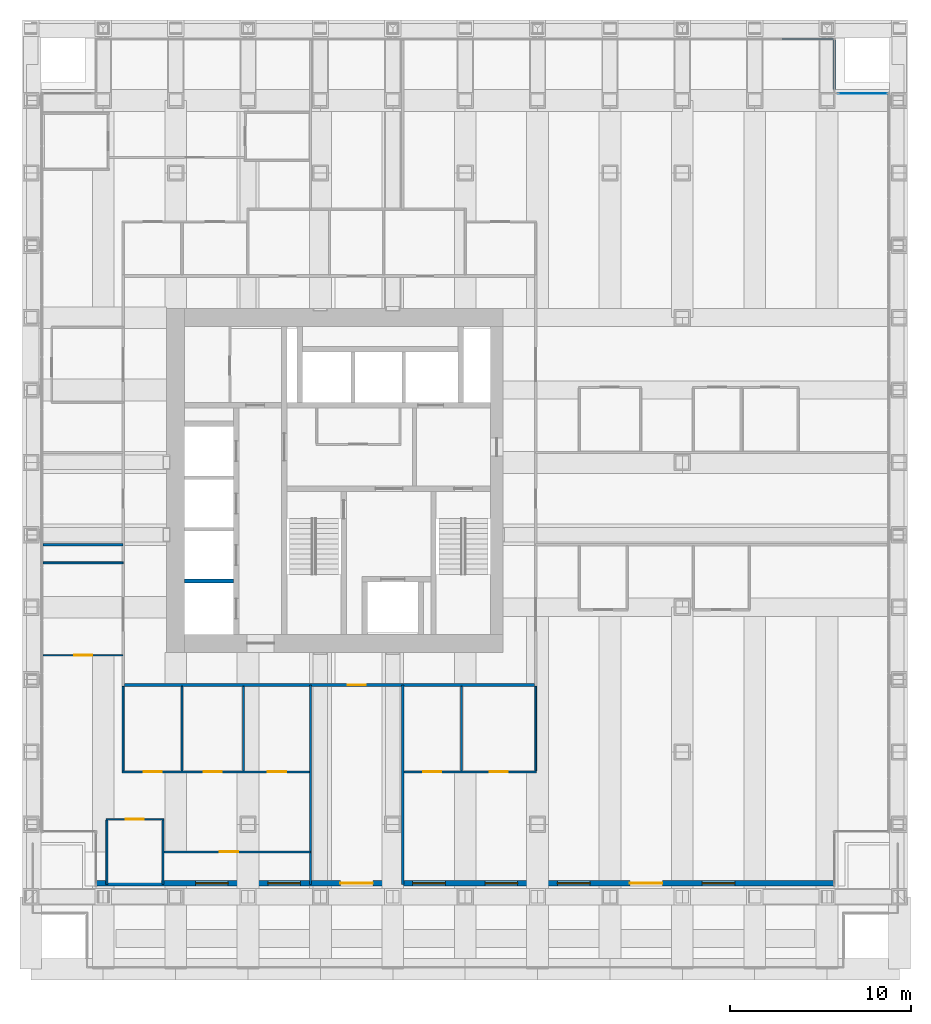
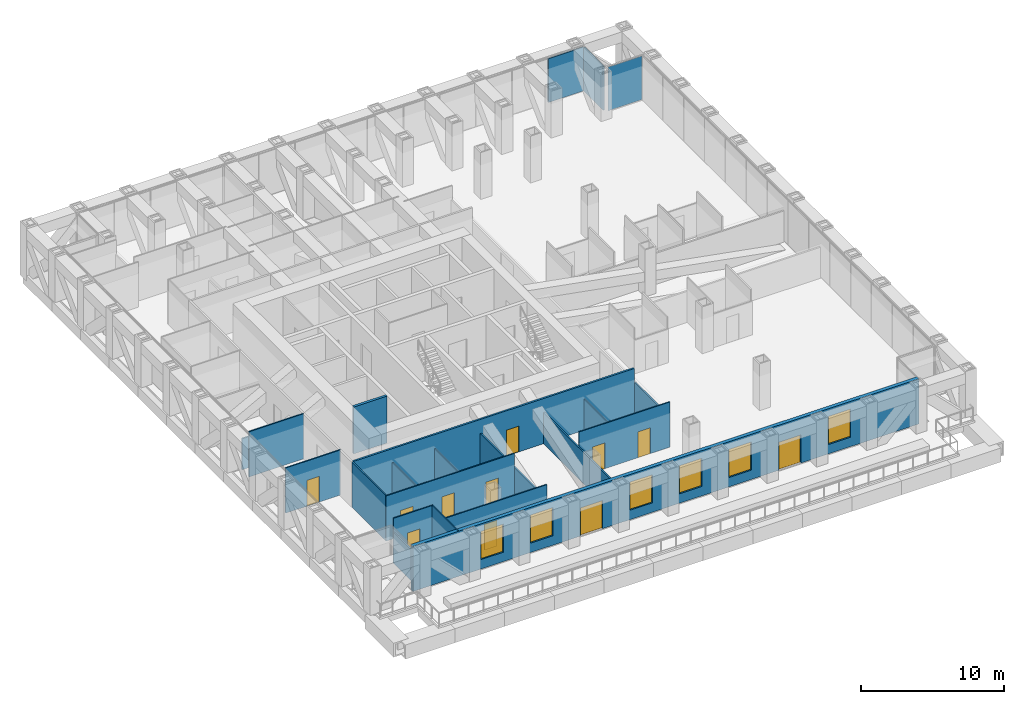
# One storey, part 12 of 18: 19 walls, 11 doors, 6 windows, 3 plates, 17 openings, 3 elements without a shape of their own.
"""IFC4 building model written with IfcOpenShell, lengths in metres."""

from ifc_helpers import new_model, si_unit, direction, frame, frame_2d, origin, origin_2d, place, context, subcontext, project, spatial, rectangle, extrude, material, layer, layer_set, type_object, element, fill, aggregate, save


model = new_model("IFC4")

# Units and contexts
model_context = context("Model", 3, precision=1e-05, world=origin(), true_north=direction((0.0, 1.0)))
body_context = subcontext(model_context, "Body", "Model", "MODEL_VIEW")
ifc_project = project(units=[si_unit("LENGTHUNIT", "METRE"), si_unit("AREAUNIT", "SQUARE_METRE"), si_unit("VOLUMEUNIT", "CUBIC_METRE"), si_unit("PLANEANGLEUNIT", "RADIAN"), si_unit("MASSUNIT", "GRAM", prefix="KILO")], contexts=[model_context])

# Site, building, storey
site_placement = place(None, origin())
site = spatial("IfcSite", under=ifc_project, at=site_placement, CompositionType="ELEMENT")
building_placement = place(site_placement, origin())
building = spatial("IfcBuilding", under=site, at=building_placement, Name="Rimbunsela Tower", CompositionType="ELEMENT")
storey_placement = place(building_placement, frame((0.0, 0.0, 105.39990234375)))
storey = spatial("IfcBuildingStorey", under=building, at=storey_placement, Name="L25", CompositionType="ELEMENT", Elevation=105.39990234375)

# Curtain wall, plate
ifc_material_1 = material(Name="Aluminium curtain wall", Category="aluminium")
curtain_wall_type_1 = type_object("IfcCurtainWallType", Name="Corner glazing", PredefinedType="USERDEFINED", material=ifc_material_1)
curtain_wall_1_placement = place(storey_placement, origin())
curtain_wall_1 = element("IfcCurtainWall", 1, at=curtain_wall_1_placement, inside=storey, type_object=curtain_wall_type_1, Name="Corner glazing L25", ObjectType="CORNER GLAZING", PredefinedType="USERDEFINED")
ifc_material_2 = material(Name="Clear double glazing", Category="glass")
ifc_layer_1 = layer(ifc_material_2, 0.028076171875)
ifc_layer_set_1 = layer_set([ifc_layer_1], Name="Glazed panel clear")
plate_type_1 = type_object("IfcPlateType", Name="Glazed panel clear", PredefinedType="CURTAIN_PANEL", material=ifc_layer_set_1)
plate_1_placement = place(storey_placement, frame((55.97509765625, 48.39990234375, 0.06005859375), z_axis=(0.0, 0.0, 1.0), x_axis=(-1.0, 0.0, 0.0)))
plate_1 = element("IfcPlate", 2, at=plate_1_placement, type_object=plate_type_1, Name="CW5 panel 1.1", PredefinedType="CURTAIN_PANEL", context=body_context, shape_type="SweptSolid", body=[
    extrude(rectangle(XDim=2.72998046875, YDim=0.028076171875, at=origin_2d()), origin(), (0.0, 0.0, 1.0), 3.72998046875),
])
aggregate(curtain_wall_1, [plate_1])

ifc_material_3 = material(Name="Aluminium curtain wall", Category="aluminium")
curtain_wall_type_2 = type_object("IfcCurtainWallType", Name="Spandrel wall", PredefinedType="USERDEFINED", material=ifc_material_3)
curtain_wall_2_placement = place(storey_placement, origin())
curtain_wall_2 = element("IfcCurtainWall", 3, at=curtain_wall_2_placement, inside=storey, type_object=curtain_wall_type_2, Name="Spandrel wall L25", ObjectType="SPANDREL WALL", PredefinedType="USERDEFINED")
ifc_material_4 = material(Name="Insulated aluminium spandrel panel", Category="aluminium")
ifc_layer_2 = layer(ifc_material_4, 0.10009765625)
ifc_layer_set_2 = layer_set([ifc_layer_2], Name="Insulated panel 100")
plate_type_2 = type_object("IfcPlateType", Name="Insulated panel 100", PredefinedType="CURTAIN_PANEL", material=ifc_layer_set_2)
plate_2_placement = place(storey_placement, frame((54.39990234375, 49.97509765625, 0.06005859375), z_axis=(0.0, 0.0, 1.0), x_axis=(0.0, 1.0, 0.0)))
plate_2 = element("IfcPlate", 4, at=plate_2_placement, type_object=plate_type_2, Name="CW7 panel 1.1", PredefinedType="CURTAIN_PANEL", context=body_context, shape_type="SweptSolid", body=[
    extrude(rectangle(XDim=2.72998046875, YDim=0.10009765625, at=origin_2d()), origin(), (0.0, 0.0, 1.0), 3.72998046875),
])
aggregate(curtain_wall_2, [plate_2])

ifc_material_5 = material(Name="Aluminium curtain wall", Category="aluminium")
curtain_wall_type_3 = type_object("IfcCurtainWallType", Name="Exoskeleton storey infill", PredefinedType="USERDEFINED", material=ifc_material_5)
curtain_wall_3_placement = place(storey_placement, origin())
curtain_wall_3 = element("IfcCurtainWall", 5, at=curtain_wall_3_placement, inside=storey, type_object=curtain_wall_type_3, Name="Exoskeleton storey infill L25", ObjectType="EXOSKELETON STOREY INFILL", PredefinedType="USERDEFINED")
plate_3_placement = place(storey_placement, frame((52.927978515625, 51.39990234375, 0.06005859375), z_axis=(0.0, 0.0, 1.0), x_axis=(-1.0, 0.0, 0.0)))
plate_3 = element("IfcPlate", 6, at=plate_3_placement, type_object=plate_type_2, Name="CW2 panel 1.1", PredefinedType="CURTAIN_PANEL", context=body_context, shape_type="SweptSolid", body=[
    extrude(rectangle(XDim=2.82421875, YDim=0.10009765625, at=origin_2d()), origin(), (0.0, 0.0, 1.0), 3.72998046875),
])
aggregate(curtain_wall_3, [plate_3])

# Wall
ifc_material_6 = material(Name="Concrete blockwork", Category="masonry")
ifc_layer_3 = layer(ifc_material_6, 0.199951171875)
ifc_layer_set_3 = layer_set([ifc_layer_3], Name="Lift shaft wall 200")
wall_type_1 = type_object("IfcWallType", Name="Lift shaft wall 200", PredefinedType="SOLIDWALL", material=ifc_layer_set_3)
wall_1_placement = place(storey_placement, frame((18.5, 21.449951171875, -0.14990234375), z_axis=(0.0, 0.0, 1.0), x_axis=(1.0, 0.0, 0.0)))
element("IfcWall", 7, at=wall_1_placement, inside=storey, type_object=wall_type_1, Name="Lift shaft separation", PredefinedType="SOLIDWALL", context=body_context, shape_type="SweptSolid", body=[
    extrude(rectangle(XDim=2.699951171875, YDim=0.199951171875, at=frame_2d((1.35009765625, 0.0))), origin(), (0.0, 0.0, 1.0), 4.0),
])

# Wall, opening, door
ifc_material_7 = material(Name="Gypsum board on steel studs", Category="steel")
ifc_layer_4 = layer(ifc_material_7, 0.10009765625)
ifc_layer_set_4 = layer_set([ifc_layer_4], Name="Office partition 100")
wall_type_2 = type_object("IfcWallType", Name="Office partition 100", PredefinedType="PARTITIONING", material=ifc_layer_set_4)
wall_2_placement = place(storey_placement, frame((14.14990234375, 8.280029296875, 0.0), z_axis=(0.0, 0.0, 1.0), x_axis=(1.0, 0.0, 0.0)))
wall_2 = element("IfcWall", 8, at=wall_2_placement, inside=storey, type_object=wall_type_2, Name="Office partition", PredefinedType="PARTITIONING", context=body_context, shape_type="SweptSolid", body=[
    extrude(rectangle(XDim=3.2001953125, YDim=0.10009765625, at=frame_2d((1.60009765625, 0.0))), origin(), (0.0, 0.0, 1.0), 3.85009765625),
])
opening_1_placement = place(wall_2_placement, frame((1.10009765625, 0.0, 0.0)))
opening_1 = element("IfcOpeningElement", 9, at=opening_1_placement, cuts=wall_2, Name="Opening D16", PredefinedType="OPENING", context=body_context, shape_type="SweptSolid", body=[
    extrude(rectangle(XDim=1.0, YDim=2.199951171875, at=frame_2d((0.5, 1.10009765625))), frame((0.0, 0.06005859375, 0.0), z_axis=(0.0, -1.0, 0.0), x_axis=(1.0, 0.0, 0.0)), (0.0, 0.0, 1.0), 0.1201171875),
])
ifc_material_8 = material(Name="Timber door", Category="wood")
door_type_1 = type_object("IfcDoorType", Name="Office door 1000", OperationType="SINGLE_SWING_LEFT", PredefinedType="DOOR", material=ifc_material_8)
door_1_placement = place(opening_1_placement, origin())
door_1 = element("IfcDoor", 10, at=door_1_placement, inside=storey, type_object=door_type_1, Name="Office door", OperationType="SINGLE_SWING_LEFT", OverallHeight=2.199951171875, OverallWidth=1.0, PredefinedType="DOOR", context=body_context, shape_type="SweptSolid", body=[
    extrude(rectangle(XDim=1.0, YDim=2.199951171875, at=frame_2d((0.5, 1.10009765625))), frame((0.0, 0.02490234375, 0.0), z_axis=(0.0, -1.0, 0.0), x_axis=(1.0, 0.0, 0.0)), (0.0, 0.0, 1.0), 0.050048828125),
])
fill(opening_1, door_1)

# Wall, openings, doors
wall_3_placement = place(storey_placement, frame((15.050048828125, 10.89990234375, 0.0), z_axis=(0.0, 0.0, 1.0), x_axis=(1.0, 0.0, 0.0)))
wall_3 = element("IfcWall", 11, at=wall_3_placement, inside=storey, type_object=wall_type_2, Name="Office partition", PredefinedType="PARTITIONING", context=body_context, shape_type="SweptSolid", body=[
    extrude(rectangle(XDim=10.3388671875, YDim=0.10009765625, at=frame_2d((5.16943359375, 0.0))), origin(), (0.0, 0.0, 1.0), 3.85009765625),
])
opening_2_placement = place(wall_3_placement, frame((1.175048828125, 0.0, 0.0)))
opening_2 = element("IfcOpeningElement", 12, at=opening_2_placement, cuts=wall_3, Name="Opening D16", PredefinedType="OPENING", context=body_context, shape_type="SweptSolid", body=[
    extrude(rectangle(XDim=1.0, YDim=2.199951171875, at=frame_2d((0.5, 1.10009765625))), frame((0.0, 0.06005859375, 0.0), z_axis=(0.0, -1.0, 0.0), x_axis=(1.0, 0.0, 0.0)), (0.0, 0.0, 1.0), 0.1201171875),
])
opening_3_placement = place(wall_3_placement, frame((4.5, 0.0, 0.0)))
opening_3 = element("IfcOpeningElement", 13, at=opening_3_placement, cuts=wall_3, Name="Opening D16", PredefinedType="OPENING", context=body_context, shape_type="SweptSolid", body=[
    extrude(rectangle(XDim=1.0, YDim=2.199951171875, at=frame_2d((0.5, 1.10009765625))), frame((0.0, 0.06005859375, 0.0), z_axis=(0.0, -1.0, 0.0), x_axis=(1.0, 0.0, 0.0)), (0.0, 0.0, 1.0), 0.1201171875),
])
opening_4_placement = place(wall_3_placement, frame((8.049560546875, 0.0, 0.0)))
opening_4 = element("IfcOpeningElement", 14, at=opening_4_placement, cuts=wall_3, Name="Opening D16", PredefinedType="OPENING", context=body_context, shape_type="SweptSolid", body=[
    extrude(rectangle(XDim=1.0, YDim=2.199951171875, at=frame_2d((0.5, 1.10009765625))), frame((0.0, 0.06005859375, 0.0), z_axis=(0.0, -1.0, 0.0), x_axis=(1.0, 0.0, 0.0)), (0.0, 0.0, 1.0), 0.1201171875),
])
door_2_placement = place(opening_2_placement, origin())
door_2 = element("IfcDoor", 15, at=door_2_placement, inside=storey, type_object=door_type_1, Name="Office door", OperationType="SINGLE_SWING_LEFT", OverallHeight=2.199951171875, OverallWidth=1.0, PredefinedType="DOOR", context=body_context, shape_type="SweptSolid", body=[
    extrude(rectangle(XDim=1.0, YDim=2.199951171875, at=frame_2d((0.5, 1.10009765625))), frame((0.0, 0.02490234375, 0.0), z_axis=(0.0, -1.0, 0.0), x_axis=(1.0, 0.0, 0.0)), (0.0, 0.0, 1.0), 0.050048828125),
])
fill(opening_2, door_2)
door_3_placement = place(opening_3_placement, origin())
door_3 = element("IfcDoor", 16, at=door_3_placement, inside=storey, type_object=door_type_1, Name="Office door", OperationType="SINGLE_SWING_LEFT", OverallHeight=2.199951171875, OverallWidth=1.0, PredefinedType="DOOR", context=body_context, shape_type="SweptSolid", body=[
    extrude(rectangle(XDim=1.0, YDim=2.199951171875, at=frame_2d((0.5, 1.10009765625))), frame((0.0, 0.02490234375, 0.0), z_axis=(0.0, -1.0, 0.0), x_axis=(1.0, 0.0, 0.0)), (0.0, 0.0, 1.0), 0.050048828125),
])
fill(opening_3, door_3)
door_4_placement = place(opening_4_placement, origin())
door_4 = element("IfcDoor", 17, at=door_4_placement, inside=storey, type_object=door_type_1, Name="Office door", OperationType="SINGLE_SWING_LEFT", OverallHeight=2.199951171875, OverallWidth=1.0, PredefinedType="DOOR", context=body_context, shape_type="SweptSolid", body=[
    extrude(rectangle(XDim=1.0, YDim=2.199951171875, at=frame_2d((0.5, 1.10009765625))), frame((0.0, 0.02490234375, 0.0), z_axis=(0.0, -1.0, 0.0), x_axis=(1.0, 0.0, 0.0)), (0.0, 0.0, 1.0), 0.050048828125),
])
fill(opening_4, door_4)

wall_4_placement = place(storey_placement, frame((30.611083984375, 10.89990234375, 0.0), z_axis=(0.0, 0.0, 1.0), x_axis=(1.0, 0.0, 0.0)))
wall_4 = element("IfcWall", 18, at=wall_4_placement, inside=storey, type_object=wall_type_2, Name="Office partition", PredefinedType="PARTITIONING", context=body_context, shape_type="SweptSolid", body=[
    extrude(rectangle(XDim=7.3388671875, YDim=0.10009765625, at=frame_2d((3.66943359375, 0.0))), origin(), (0.0, 0.0, 1.0), 3.85009765625),
])
opening_5_placement = place(wall_4_placement, frame((1.06494140625, 0.0, 0.0)))
opening_5 = element("IfcOpeningElement", 19, at=opening_5_placement, cuts=wall_4, Name="Opening D16", PredefinedType="OPENING", context=body_context, shape_type="SweptSolid", body=[
    extrude(rectangle(XDim=1.0, YDim=2.199951171875, at=frame_2d((0.5, 1.10009765625))), frame((0.0, 0.06005859375, 0.0), z_axis=(0.0, -1.0, 0.0), x_axis=(1.0, 0.0, 0.0)), (0.0, 0.0, 1.0), 0.1201171875),
])
opening_6_placement = place(wall_4_placement, frame((4.739501953125, 0.0, 0.0)))
opening_6 = element("IfcOpeningElement", 20, at=opening_6_placement, cuts=wall_4, Name="Opening D16", PredefinedType="OPENING", context=body_context, shape_type="SweptSolid", body=[
    extrude(rectangle(XDim=1.0, YDim=2.199951171875, at=frame_2d((0.5, 1.10009765625))), frame((0.0, 0.06005859375, 0.0), z_axis=(0.0, -1.0, 0.0), x_axis=(1.0, 0.0, 0.0)), (0.0, 0.0, 1.0), 0.1201171875),
])
door_5_placement = place(opening_5_placement, origin())
door_5 = element("IfcDoor", 21, at=door_5_placement, inside=storey, type_object=door_type_1, Name="Office door", OperationType="SINGLE_SWING_LEFT", OverallHeight=2.199951171875, OverallWidth=1.0, PredefinedType="DOOR", context=body_context, shape_type="SweptSolid", body=[
    extrude(rectangle(XDim=1.0, YDim=2.199951171875, at=frame_2d((0.5, 1.10009765625))), frame((0.0, 0.02490234375, 0.0), z_axis=(0.0, -1.0, 0.0), x_axis=(1.0, 0.0, 0.0)), (0.0, 0.0, 1.0), 0.050048828125),
])
fill(opening_5, door_5)
door_6_placement = place(opening_6_placement, origin())
door_6 = element("IfcDoor", 22, at=door_6_placement, inside=storey, type_object=door_type_1, Name="Office door", OperationType="SINGLE_SWING_LEFT", OverallHeight=2.199951171875, OverallWidth=1.0, PredefinedType="DOOR", context=body_context, shape_type="SweptSolid", body=[
    extrude(rectangle(XDim=1.0, YDim=2.199951171875, at=frame_2d((0.5, 1.10009765625))), frame((0.0, 0.02490234375, 0.0), z_axis=(0.0, -1.0, 0.0), x_axis=(1.0, 0.0, 0.0)), (0.0, 0.0, 1.0), 0.050048828125),
])
fill(opening_6, door_6)

# Walls
wall_5_placement = place(storey_placement, frame((14.199951171875, 4.679931640625, 0.0), z_axis=(0.0, 0.0, 1.0), x_axis=(0.0, 1.0, 0.0)))
element("IfcWall", 23, at=wall_5_placement, inside=storey, type_object=wall_type_2, Name="Office partition", PredefinedType="PARTITIONING", context=body_context, shape_type="SweptSolid", body=[
    extrude(rectangle(XDim=3.550048828125, YDim=0.10009765625, at=frame_2d((1.77490234375, 0.0))), origin(), (0.0, 0.0, 1.0), 2.650146484375),
])
wall_6_placement = place(storey_placement, frame((15.10009765625, 10.949951171875, 0.0), z_axis=(0.0, 0.0, 1.0), x_axis=(0.0, 1.0, 0.0)))
element("IfcWall", 24, at=wall_6_placement, inside=storey, type_object=wall_type_2, Name="Office partition", PredefinedType="PARTITIONING", context=body_context, shape_type="SweptSolid", body=[
    extrude(rectangle(XDim=4.675048828125, YDim=0.10009765625, at=frame_2d((2.33740234375, 0.0))), origin(), (0.0, 0.0, 1.0), 3.85009765625),
])
wall_7_placement = place(storey_placement, frame((17.300048828125, 4.679931640625, 0.0), z_axis=(0.0, 0.0, 1.0), x_axis=(0.0, 1.0, 0.0)))
element("IfcWall", 25, at=wall_7_placement, inside=storey, type_object=wall_type_2, Name="Office partition", PredefinedType="PARTITIONING", context=body_context, shape_type="SweptSolid", body=[
    extrude(rectangle(XDim=3.550048828125, YDim=0.10009765625, at=frame_2d((1.77490234375, 0.0))), origin(), (0.0, 0.0, 1.0), 3.85009765625),
])
for number, where, z_axis, x_axis, name in (
    (26, (18.35009765625, 10.949951171875, 0.0), (0.0, 0.0, 1.0), (0.0, 1.0, 0.0), "Office partition"),
    (27, (21.75, 10.949951171875, 0.0), (0.0, 0.0, 1.0), (0.0, 1.0, 0.0), "Office partition"),
    (28, (33.801025390625, 10.949951171875, 0.0), (0.0, 0.0, 1.0), (0.0, 1.0, 0.0), "Office partition"),
    (29, (37.89990234375, 10.949951171875, 0.0), (0.0, 0.0, 1.0), (0.0, 1.0, 0.0), "Office partition"),
):
    element("IfcWall", number, at=place(storey_placement, frame(where, z_axis=z_axis, x_axis=x_axis)), inside=storey, type_object=wall_type_2, Name=name, PredefinedType="PARTITIONING", context=body_context, shape_type="SweptSolid", body=[
        extrude(rectangle(XDim=4.675048828125, YDim=0.10009765625, at=frame_2d((2.33740234375, 0.0))), origin(), (0.0, 0.0, 1.0), 2.650146484375),
    ])

# Wall, opening, door
wall_8_placement = place(storey_placement, frame((25.448974609375, 6.47998046875, 0.0), z_axis=(0.0, 0.0, 1.0), x_axis=(-1.0, 0.0, 0.0)))
wall_8 = element("IfcWall", 30, at=wall_8_placement, inside=storey, type_object=wall_type_2, Name="Office partition", PredefinedType="PARTITIONING", context=body_context, shape_type="SweptSolid", body=[
    extrude(rectangle(XDim=8.098876953125, YDim=0.10009765625, at=frame_2d((4.04931640625, 0.0))), origin(), (0.0, 0.0, 1.0), 3.85009765625),
])
opening_7_placement = place(wall_8_placement, frame((3.99951171875, 0.0, 0.0)))
opening_7 = element("IfcOpeningElement", 31, at=opening_7_placement, cuts=wall_8, Name="Opening D17", PredefinedType="OPENING", context=body_context, shape_type="SweptSolid", body=[
    extrude(rectangle(XDim=1.0, YDim=2.199951171875, at=frame_2d((0.5, 1.10009765625))), frame((0.0, 0.06005859375, 0.0), z_axis=(0.0, -1.0, 0.0), x_axis=(1.0, 0.0, 0.0)), (0.0, 0.0, 1.0), 0.1201171875),
])
ifc_material_9 = material(Name="Glazed aluminium door", Category="aluminium")
door_type_2 = type_object("IfcDoorType", Name="Meeting room door 1000 glazed", OperationType="SINGLE_SWING_RIGHT", PredefinedType="DOOR", material=ifc_material_9)
door_7_placement = place(opening_7_placement, origin())
door_7 = element("IfcDoor", 32, at=door_7_placement, inside=storey, type_object=door_type_2, Name="Open office screen door", OperationType="SINGLE_SWING_RIGHT", OverallHeight=2.199951171875, OverallWidth=1.0, PredefinedType="DOOR", context=body_context, shape_type="SweptSolid", body=[
    extrude(rectangle(XDim=1.0, YDim=2.199951171875, at=frame_2d((0.5, 1.10009765625))), frame((0.0, 0.02490234375, 0.0), z_axis=(0.0, -1.0, 0.0), x_axis=(1.0, 0.0, 0.0)), (0.0, 0.0, 1.0), 0.050048828125),
])
fill(opening_7, door_7)

# Wall
wall_9_placement = place(storey_placement, frame((15.10009765625, 22.448974609375, 0.0), z_axis=(0.0, 0.0, 1.0), x_axis=(-1.0, 0.0, 0.0)))
element("IfcWall", 33, at=wall_9_placement, inside=storey, type_object=wall_type_2, Name="Office partition", PredefinedType="PARTITIONING", context=body_context, shape_type="SweptSolid", body=[
    extrude(rectangle(XDim=4.420166015625, YDim=0.10009765625, at=frame_2d((2.2099609375, 0.0))), origin(), (0.0, 0.0, 1.0), 3.85009765625),
])

# Wall, opening, door
wall_10_placement = place(storey_placement, frame((10.679931640625, 17.34912109375, 0.0), z_axis=(0.0, 0.0, 1.0), x_axis=(1.0, 0.0, 0.0)))
wall_10 = element("IfcWall", 34, at=wall_10_placement, inside=storey, type_object=wall_type_2, Name="Office partition", PredefinedType="PARTITIONING", context=body_context, shape_type="SweptSolid", body=[
    extrude(rectangle(XDim=4.420166015625, YDim=0.10009765625, at=frame_2d((2.2099609375, 0.0))), origin(), (0.0, 0.0, 1.0), 3.85009765625),
])
opening_8_placement = place(wall_10_placement, frame((1.7099609375, 0.0, 0.0)))
opening_8 = element("IfcOpeningElement", 35, at=opening_8_placement, cuts=wall_10, Name="Opening D17", PredefinedType="OPENING", context=body_context, shape_type="SweptSolid", body=[
    extrude(rectangle(XDim=1.0, YDim=2.199951171875, at=frame_2d((0.5, 1.10009765625))), frame((0.0, 0.06005859375, 0.0), z_axis=(0.0, -1.0, 0.0), x_axis=(1.0, 0.0, 0.0)), (0.0, 0.0, 1.0), 0.1201171875),
])
door_8_placement = place(opening_8_placement, origin())
door_8 = element("IfcDoor", 36, at=door_8_placement, inside=storey, type_object=door_type_2, Name="Reception door", OperationType="SINGLE_SWING_RIGHT", OverallHeight=2.199951171875, OverallWidth=1.0, PredefinedType="DOOR", context=body_context, shape_type="SweptSolid", body=[
    extrude(rectangle(XDim=1.0, YDim=2.199951171875, at=frame_2d((0.5, 1.10009765625))), frame((0.0, 0.02490234375, 0.0), z_axis=(0.0, -1.0, 0.0), x_axis=(1.0, 0.0, 0.0)), (0.0, 0.0, 1.0), 0.050048828125),
])
fill(opening_8, door_8)

ifc_material_10 = material(Name="Fire-rated gypsum board on steel studs, EI 60", Category="steel")
ifc_layer_5 = layer(ifc_material_10, 0.14990234375)
ifc_layer_set_5 = layer_set([ifc_layer_5], Name="Rated corridor wall 150")
wall_type_3 = type_object("IfcWallType", Name="Rated corridor wall 150", PredefinedType="PARTITIONING", material=ifc_layer_set_5)
wall_11_placement = place(storey_placement, frame((15.175048828125, 15.699951171875, 0.0), z_axis=(0.0, 0.0, 1.0), x_axis=(1.0, 0.0, 0.0)))
wall_11 = element("IfcWall", 37, at=wall_11_placement, inside=storey, type_object=wall_type_3, Name="Corridor wall south", PredefinedType="PARTITIONING", context=body_context, shape_type="SweptSolid", body=[
    extrude(rectangle(XDim=22.64990234375, YDim=0.14990234375, at=frame_2d((11.324951171875, 0.0))), origin(), (0.0, 0.0, 1.0), 3.85009765625),
])
opening_9_placement = place(wall_11_placement, frame((12.324951171875, 0.0, 0.0)))
opening_9 = element("IfcOpeningElement", 38, at=opening_9_placement, cuts=wall_11, Name="Opening D19", PredefinedType="OPENING", context=body_context, shape_type="SweptSolid", body=[
    extrude(rectangle(XDim=1.0, YDim=2.199951171875, at=frame_2d((0.5, 1.10009765625))), frame((0.0, 0.0849609375, 0.0), z_axis=(0.0, -1.0, 0.0), x_axis=(1.0, 0.0, 0.0)), (0.0, 0.0, 1.0), 0.169921875),
])
ifc_material_11 = material(Name="Steel door, fire rated", Category="steel")
door_type_3 = type_object("IfcDoorType", Name="Service door 1000 fire rated", OperationType="SINGLE_SWING_LEFT", PredefinedType="DOOR", material=ifc_material_11)
door_9_placement = place(opening_9_placement, origin())
door_9 = element("IfcDoor", 39, at=door_9_placement, inside=storey, type_object=door_type_3, Name="Service chase access door", OperationType="SINGLE_SWING_LEFT", OverallHeight=2.199951171875, OverallWidth=1.0, PredefinedType="DOOR", context=body_context, shape_type="SweptSolid", body=[
    extrude(rectangle(XDim=1.0, YDim=2.199951171875, at=frame_2d((0.5, 1.10009765625))), frame((0.0, 0.02490234375, 0.0), z_axis=(0.0, -1.0, 0.0), x_axis=(1.0, 0.0, 0.0)), (0.0, 0.0, 1.0), 0.050048828125),
])
fill(opening_9, door_9)

# Walls
ifc_material_12 = material(Name="Gypsum board on steel studs", Category="steel")
ifc_layer_6 = layer(ifc_material_12, 0.1201171875)
ifc_layer_set_6 = layer_set([ifc_layer_6], Name="Tenancy partition 120")
wall_type_4 = type_object("IfcWallType", Name="Tenancy partition 120", PredefinedType="PARTITIONING", material=ifc_layer_set_6)
for number, where, z_axis, x_axis, name in (
    (40, (25.449951171875, 4.679931640625, 0.0), (0.0, 0.0, 1.0), (0.0, 1.0, 0.0), "Tenancy partition"),
    (41, (30.550048828125, 4.679931640625, 0.0), (0.0, 0.0, 1.0), (0.0, 1.0, 0.0), "Tenancy partition"),
):
    element("IfcWall", number, at=place(storey_placement, frame(where, z_axis=z_axis, x_axis=x_axis)), inside=storey, type_object=wall_type_4, Name=name, PredefinedType="PARTITIONING", context=body_context, shape_type="SweptSolid", body=[
        extrude(rectangle(XDim=11.02001953125, YDim=0.1201171875, at=frame_2d((5.510009765625, 0.0))), origin(), (0.0, 0.0, 1.0), 2.650146484375),
    ])
wall_12_placement = place(storey_placement, frame((10.679931640625, 23.449951171875, 0.0), z_axis=(0.0, 0.0, 1.0), x_axis=(1.0, 0.0, 0.0)))
element("IfcWall", 42, at=wall_12_placement, inside=storey, type_object=wall_type_4, Name="Tenancy partition", PredefinedType="PARTITIONING", context=body_context, shape_type="SweptSolid", body=[
    extrude(rectangle(XDim=4.420166015625, YDim=0.1201171875, at=frame_2d((2.2099609375, 0.0))), origin(), (0.0, 0.0, 1.0), 2.650146484375),
])

# Wall, openings, doors, windows
ifc_material_13 = material(Name="Precast concrete fc' 35 MPa", Category="concrete")
ifc_layer_7 = layer(ifc_material_13, 0.300048828125)
ifc_layer_set_7 = layer_set([ifc_layer_7], Name="Terrace wall 300")
wall_type_5 = type_object("IfcWallType", Name="Terrace wall 300", PredefinedType="ELEMENTEDWALL", material=ifc_layer_set_7)
wall_13_placement = place(storey_placement, frame((13.60009765625, 4.75, 0.0), z_axis=(0.0, 0.0, 1.0), x_axis=(1.0, 0.0, 0.0)))
wall_13 = element("IfcWall", 43, at=wall_13_placement, inside=storey, type_object=wall_type_5, Name="Terrace wall S L25", PredefinedType="ELEMENTEDWALL", context=body_context, shape_type="SweptSolid", body=[
    extrude(rectangle(XDim=40.7998046875, YDim=0.300048828125, at=frame_2d((20.39990234375, 0.0))), origin(), (0.0, 0.0, 1.0), 3.85009765625),
])
opening_10_placement = place(wall_13_placement, frame((5.5, 0.0, 0.800048828125)))
opening_10 = element("IfcOpeningElement", 44, at=opening_10_placement, cuts=wall_13, Name="Opening W3", PredefinedType="OPENING", context=body_context, shape_type="SweptSolid", body=[
    extrude(rectangle(XDim=1.800048828125, YDim=2.39990234375, at=frame_2d((0.89990234375, 1.199951171875))), frame((0.0, 0.159912109375, 0.0), z_axis=(0.0, -1.0, 0.0), x_axis=(1.0, 0.0, 0.0)), (0.0, 0.0, 1.0), 0.320068359375),
])
opening_11_placement = place(wall_13_placement, frame((9.5, 0.0, 0.800048828125)))
opening_11 = element("IfcOpeningElement", 45, at=opening_11_placement, cuts=wall_13, Name="Opening W3", PredefinedType="OPENING", context=body_context, shape_type="SweptSolid", body=[
    extrude(rectangle(XDim=1.800048828125, YDim=2.39990234375, at=frame_2d((0.89990234375, 1.199951171875))), frame((0.0, 0.159912109375, 0.0), z_axis=(0.0, -1.0, 0.0), x_axis=(1.0, 0.0, 0.0)), (0.0, 0.0, 1.0), 0.320068359375),
])
opening_12_placement = place(wall_13_placement, frame((13.5, 0.0, 0.0)))
opening_12 = element("IfcOpeningElement", 46, at=opening_12_placement, cuts=wall_13, Name="Opening TD1", PredefinedType="OPENING", context=body_context, shape_type="SweptSolid", body=[
    extrude(rectangle(XDim=1.800048828125, YDim=2.39990234375, at=frame_2d((0.89990234375, 1.199951171875))), frame((0.0, 0.159912109375, 0.0), z_axis=(0.0, -1.0, 0.0), x_axis=(1.0, 0.0, 0.0)), (0.0, 0.0, 1.0), 0.320068359375),
])
opening_13_placement = place(wall_13_placement, frame((17.5, 0.0, 0.800048828125)))
opening_13 = element("IfcOpeningElement", 47, at=opening_13_placement, cuts=wall_13, Name="Opening W3", PredefinedType="OPENING", context=body_context, shape_type="SweptSolid", body=[
    extrude(rectangle(XDim=1.800048828125, YDim=2.39990234375, at=frame_2d((0.89990234375, 1.199951171875))), frame((0.0, 0.159912109375, 0.0), z_axis=(0.0, -1.0, 0.0), x_axis=(1.0, 0.0, 0.0)), (0.0, 0.0, 1.0), 0.320068359375),
])
opening_14_placement = place(wall_13_placement, frame((21.5, 0.0, 0.800048828125)))
opening_14 = element("IfcOpeningElement", 48, at=opening_14_placement, cuts=wall_13, Name="Opening W3", PredefinedType="OPENING", context=body_context, shape_type="SweptSolid", body=[
    extrude(rectangle(XDim=1.800048828125, YDim=2.39990234375, at=frame_2d((0.89990234375, 1.199951171875))), frame((0.0, 0.159912109375, 0.0), z_axis=(0.0, -1.0, 0.0), x_axis=(1.0, 0.0, 0.0)), (0.0, 0.0, 1.0), 0.320068359375),
])
opening_15_placement = place(wall_13_placement, frame((25.5, 0.0, 0.800048828125)))
opening_15 = element("IfcOpeningElement", 49, at=opening_15_placement, cuts=wall_13, Name="Opening W3", PredefinedType="OPENING", context=body_context, shape_type="SweptSolid", body=[
    extrude(rectangle(XDim=1.800048828125, YDim=2.39990234375, at=frame_2d((0.89990234375, 1.199951171875))), frame((0.0, 0.159912109375, 0.0), z_axis=(0.0, -1.0, 0.0), x_axis=(1.0, 0.0, 0.0)), (0.0, 0.0, 1.0), 0.320068359375),
])
opening_16_placement = place(wall_13_placement, frame((29.5, 0.0, 0.0)))
opening_16 = element("IfcOpeningElement", 50, at=opening_16_placement, cuts=wall_13, Name="Opening TD1", PredefinedType="OPENING", context=body_context, shape_type="SweptSolid", body=[
    extrude(rectangle(XDim=1.800048828125, YDim=2.39990234375, at=frame_2d((0.89990234375, 1.199951171875))), frame((0.0, 0.159912109375, 0.0), z_axis=(0.0, -1.0, 0.0), x_axis=(1.0, 0.0, 0.0)), (0.0, 0.0, 1.0), 0.320068359375),
])
opening_17_placement = place(wall_13_placement, frame((33.5, 0.0, 0.800048828125)))
opening_17 = element("IfcOpeningElement", 51, at=opening_17_placement, cuts=wall_13, Name="Opening W3", PredefinedType="OPENING", context=body_context, shape_type="SweptSolid", body=[
    extrude(rectangle(XDim=1.800048828125, YDim=2.39990234375, at=frame_2d((0.89990234375, 1.199951171875))), frame((0.0, 0.159912109375, 0.0), z_axis=(0.0, -1.0, 0.0), x_axis=(1.0, 0.0, 0.0)), (0.0, 0.0, 1.0), 0.320068359375),
])
ifc_material_14 = material(Name="Glazed aluminium door", Category="aluminium")
door_type_4 = type_object("IfcDoorType", Name="Terrace door 1800", OperationType="DOUBLE_DOOR_SLIDING", PredefinedType="DOOR", material=ifc_material_14)
door_10_placement = place(opening_12_placement, origin())
door_10 = element("IfcDoor", 52, at=door_10_placement, inside=storey, type_object=door_type_4, Name="Terrace door", OperationType="DOUBLE_DOOR_SLIDING", OverallHeight=2.39990234375, OverallWidth=1.800048828125, PredefinedType="DOOR", context=body_context, shape_type="SweptSolid", body=[
    extrude(rectangle(XDim=1.800048828125, YDim=2.39990234375, at=frame_2d((0.89990234375, 1.199951171875))), frame((0.0, 0.02490234375, 0.0), z_axis=(0.0, -1.0, 0.0), x_axis=(1.0, 0.0, 0.0)), (0.0, 0.0, 1.0), 0.050048828125),
])
fill(opening_12, door_10)
door_11_placement = place(opening_16_placement, origin())
door_11 = element("IfcDoor", 53, at=door_11_placement, inside=storey, type_object=door_type_4, Name="Terrace door", OperationType="DOUBLE_DOOR_SLIDING", OverallHeight=2.39990234375, OverallWidth=1.800048828125, PredefinedType="DOOR", context=body_context, shape_type="SweptSolid", body=[
    extrude(rectangle(XDim=1.800048828125, YDim=2.39990234375, at=frame_2d((0.89990234375, 1.199951171875))), frame((0.0, 0.02490234375, 0.0), z_axis=(0.0, -1.0, 0.0), x_axis=(1.0, 0.0, 0.0)), (0.0, 0.0, 1.0), 0.050048828125),
])
fill(opening_16, door_11)
ifc_material_15 = material(Name="Clear glass in aluminium frame", Category="aluminium")
window_type = type_object("IfcWindowType", Name="Window W3 1800x2400", PartitioningType="SINGLE_PANEL", PredefinedType="WINDOW", material=ifc_material_15)
window_1_placement = place(opening_10_placement, origin())
window_1 = element("IfcWindow", 54, at=window_1_placement, inside=storey, type_object=window_type, Name="Window L25", OverallHeight=2.39990234375, OverallWidth=1.800048828125, PartitioningType="SINGLE_PANEL", PredefinedType="WINDOW", context=body_context, shape_type="SweptSolid", body=[
    extrude(rectangle(XDim=1.800048828125, YDim=2.39990234375, at=frame_2d((0.89990234375, 1.199951171875))), frame((0.0, 0.030029296875, 0.0), z_axis=(0.0, -1.0, 0.0), x_axis=(1.0, 0.0, 0.0)), (0.0, 0.0, 1.0), 0.06005859375),
])
fill(opening_10, window_1)
window_2_placement = place(opening_11_placement, origin())
window_2 = element("IfcWindow", 55, at=window_2_placement, inside=storey, type_object=window_type, Name="Window L25", OverallHeight=2.39990234375, OverallWidth=1.800048828125, PartitioningType="SINGLE_PANEL", PredefinedType="WINDOW", context=body_context, shape_type="SweptSolid", body=[
    extrude(rectangle(XDim=1.800048828125, YDim=2.39990234375, at=frame_2d((0.89990234375, 1.199951171875))), frame((0.0, 0.030029296875, 0.0), z_axis=(0.0, -1.0, 0.0), x_axis=(1.0, 0.0, 0.0)), (0.0, 0.0, 1.0), 0.06005859375),
])
fill(opening_11, window_2)
window_3_placement = place(opening_13_placement, origin())
window_3 = element("IfcWindow", 56, at=window_3_placement, inside=storey, type_object=window_type, Name="Window L25", OverallHeight=2.39990234375, OverallWidth=1.800048828125, PartitioningType="SINGLE_PANEL", PredefinedType="WINDOW", context=body_context, shape_type="SweptSolid", body=[
    extrude(rectangle(XDim=1.800048828125, YDim=2.39990234375, at=frame_2d((0.89990234375, 1.199951171875))), frame((0.0, 0.030029296875, 0.0), z_axis=(0.0, -1.0, 0.0), x_axis=(1.0, 0.0, 0.0)), (0.0, 0.0, 1.0), 0.06005859375),
])
fill(opening_13, window_3)
window_4_placement = place(opening_14_placement, origin())
window_4 = element("IfcWindow", 57, at=window_4_placement, inside=storey, type_object=window_type, Name="Window L25", OverallHeight=2.39990234375, OverallWidth=1.800048828125, PartitioningType="SINGLE_PANEL", PredefinedType="WINDOW", context=body_context, shape_type="SweptSolid", body=[
    extrude(rectangle(XDim=1.800048828125, YDim=2.39990234375, at=frame_2d((0.89990234375, 1.199951171875))), frame((0.0, 0.030029296875, 0.0), z_axis=(0.0, -1.0, 0.0), x_axis=(1.0, 0.0, 0.0)), (0.0, 0.0, 1.0), 0.06005859375),
])
fill(opening_14, window_4)
window_5_placement = place(opening_15_placement, origin())
window_5 = element("IfcWindow", 58, at=window_5_placement, inside=storey, type_object=window_type, Name="Window L25", OverallHeight=2.39990234375, OverallWidth=1.800048828125, PartitioningType="SINGLE_PANEL", PredefinedType="WINDOW", context=body_context, shape_type="SweptSolid", body=[
    extrude(rectangle(XDim=1.800048828125, YDim=2.39990234375, at=frame_2d((0.89990234375, 1.199951171875))), frame((0.0, 0.030029296875, 0.0), z_axis=(0.0, -1.0, 0.0), x_axis=(1.0, 0.0, 0.0)), (0.0, 0.0, 1.0), 0.06005859375),
])
fill(opening_15, window_5)
window_6_placement = place(opening_17_placement, origin())
window_6 = element("IfcWindow", 59, at=window_6_placement, inside=storey, type_object=window_type, Name="Window L25", OverallHeight=2.39990234375, OverallWidth=1.800048828125, PartitioningType="SINGLE_PANEL", PredefinedType="WINDOW", context=body_context, shape_type="SweptSolid", body=[
    extrude(rectangle(XDim=1.800048828125, YDim=2.39990234375, at=frame_2d((0.89990234375, 1.199951171875))), frame((0.0, 0.030029296875, 0.0), z_axis=(0.0, -1.0, 0.0), x_axis=(1.0, 0.0, 0.0)), (0.0, 0.0, 1.0), 0.06005859375),
])
fill(opening_17, window_6)

save(model, "model.ifc")
